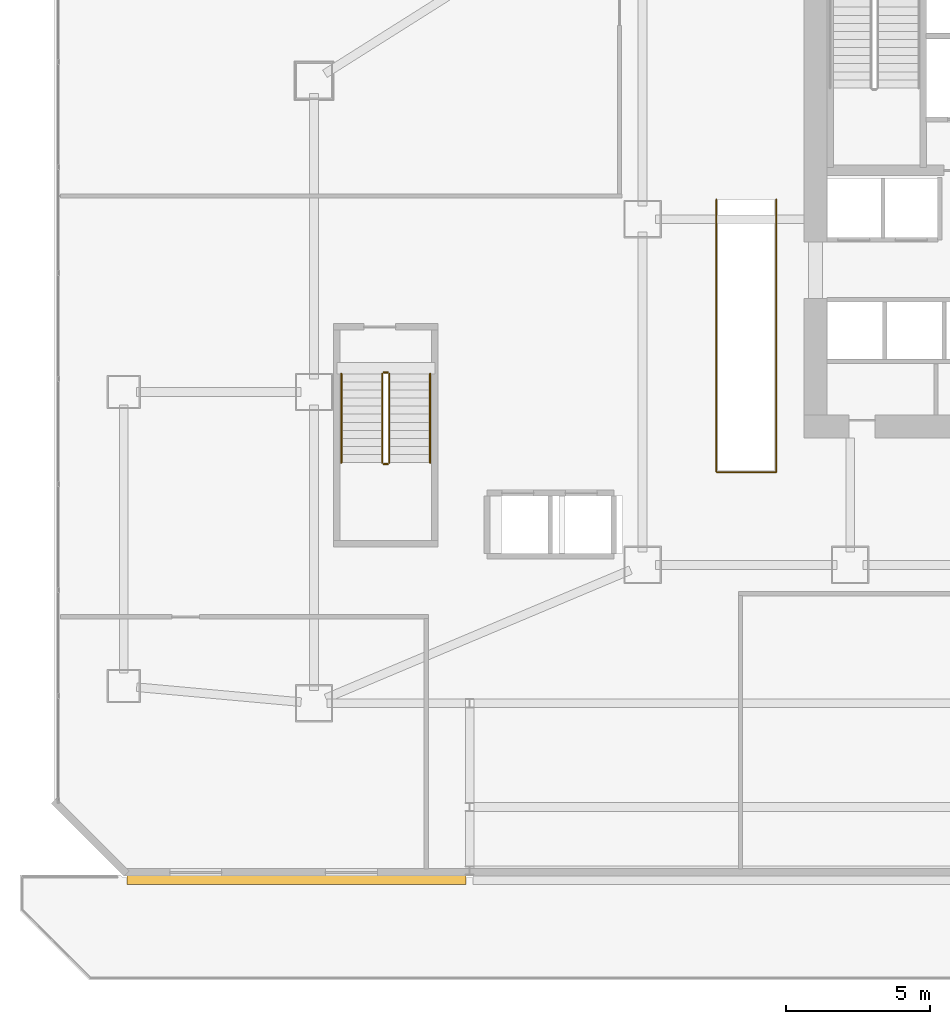
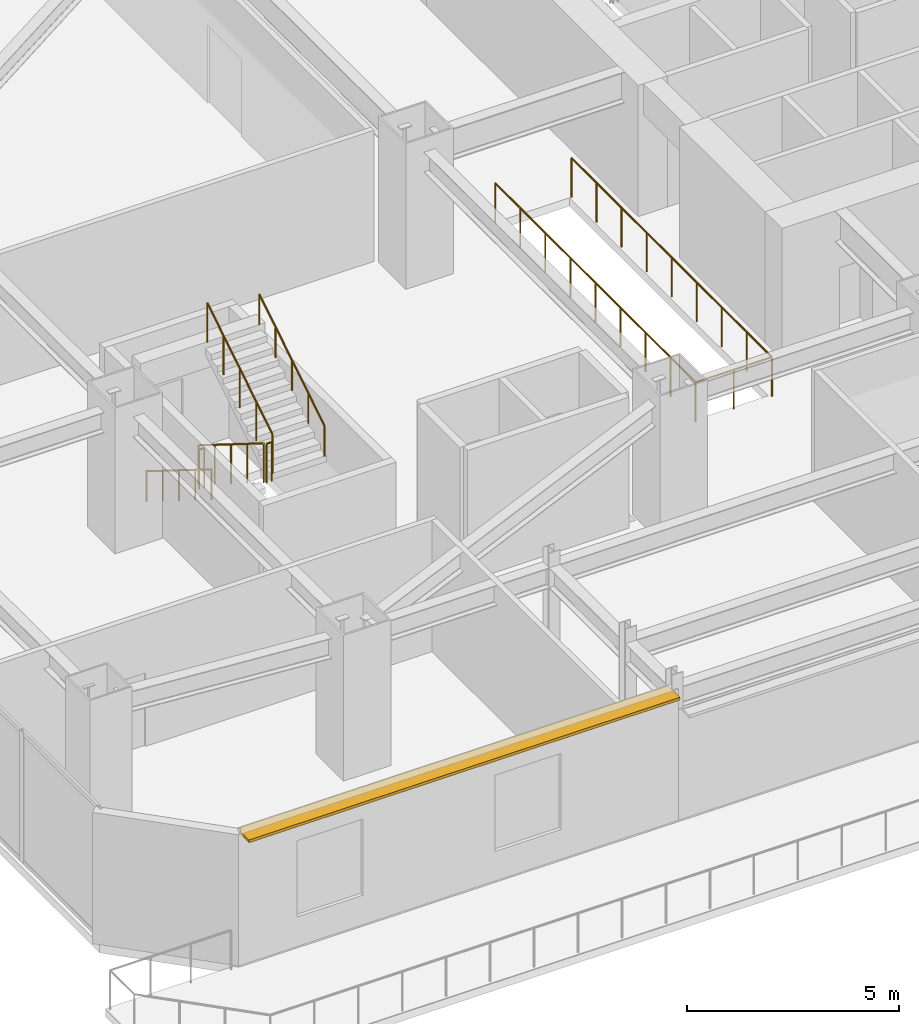
# One storey, part 26 of 32: 7 railings, 1 shading device.
"""IFC4 building model written with IfcOpenShell, lengths in metres."""

from ifc_helpers import new_model, si_unit, direction, frame, origin, origin_2d, place, context, subcontext, project, spatial, rectangle, circle, extrude, material, layer, layer_set, type_object, element, save


model = new_model("IFC4")

# Units and contexts
model_context = context("Model", 3, precision=1e-05, world=origin(), true_north=direction((0.0, 1.0)))
body_context = subcontext(model_context, "Body", "Model", "MODEL_VIEW")
ifc_project = project(units=[si_unit("LENGTHUNIT", "METRE"), si_unit("AREAUNIT", "SQUARE_METRE"), si_unit("VOLUMEUNIT", "CUBIC_METRE"), si_unit("PLANEANGLEUNIT", "RADIAN"), si_unit("MASSUNIT", "GRAM", prefix="KILO")], contexts=[model_context])

# Site, building, storey
site_placement = place(None, origin())
site = spatial("IfcSite", under=ifc_project, at=site_placement, CompositionType="ELEMENT")
building_placement = place(site_placement, origin())
building = spatial("IfcBuilding", under=site, at=building_placement, Name="Haolan Belvedere Tower", CompositionType="ELEMENT")
storey_placement = place(building_placement, frame((0.0, 0.0, 15.60009765625)))
storey = spatial("IfcBuildingStorey", under=building, at=storey_placement, Name="L03", CompositionType="ELEMENT", Elevation=15.60009765625)

# Railings
ifc_material_1 = material(Name="Brushed stainless steel 304", Category="steel")
railing_type_1 = type_object("IfcRailingType", Name="RL-STAIR-GRD-1150", PredefinedType="GUARDRAIL", material=ifc_material_1)
railing_1_placement = place(storey_placement, frame((14.969970703125, 28.22998046875, 0.1748046875)))
element("IfcRailing", 1, at=railing_1_placement, inside=storey, type_object=railing_type_1, Name="L03 ST4 stair guard 1", PredefinedType="GUARDRAIL", context=body_context, shape_type="SweptSolid", body=[
    extrude(circle(Radius=0.02392578125, at=origin_2d()), frame((0.0, 0.0, 1.1259765625), z_axis=(0.0, -0.847998304005, 0.529998940003), x_axis=(1.0, 0.0, 0.0)), (0.0, 0.0, 1.0), 3.632080078125),
    extrude(circle(Radius=0.02099609375, at=origin_2d()), origin(), (0.0, 0.0, 1.0), 1.101806640625),
    extrude(circle(Radius=0.02099609375, at=origin_2d()), frame((0.0, -0.77001953125, 0.481201171875)), (0.0, 0.0, 1.0), 1.101806640625),
    extrude(circle(Radius=0.02099609375, at=origin_2d()), frame((0.0, -1.5400390625, 0.96240234375)), (0.0, 0.0, 1.0), 1.101806640625),
    extrude(circle(Radius=0.02099609375, at=origin_2d()), frame((0.0, -2.31005859375, 1.44384765625)), (0.0, 0.0, 1.0), 1.101806640625),
    extrude(circle(Radius=0.02099609375, at=origin_2d()), frame((0.0, -3.080078125, 1.925048828125)), (0.0, 0.0, 1.0), 1.101806640625),
])
railing_2_placement = place(storey_placement, frame((15.02001953125, 25.10009765625, 2.099853515625)))
element("IfcRailing", 2, at=railing_2_placement, inside=storey, type_object=railing_type_1, Name="L03 ST4 stair guard 2", PredefinedType="GUARDRAIL", context=body_context, shape_type="SweptSolid", body=[
    extrude(circle(Radius=0.02392578125, at=origin_2d()), frame((0.0, 0.0, 1.1259765625), z_axis=(1.0, 0.0, 0.0), x_axis=(0.0, 1.0, 0.0)), (0.0, 0.0, 1.0), 0.139892578125),
    extrude(circle(Radius=0.02099609375, at=origin_2d()), origin(), (0.0, 0.0, 1.0), 1.101806640625),
    extrude(circle(Radius=0.02099609375, at=origin_2d()), frame((0.139892578125, 0.0, 0.0)), (0.0, 0.0, 1.0), 1.101806640625),
])
railing_3_placement = place(storey_placement, frame((15.2099609375, 25.14990234375, 2.27490234375)))
element("IfcRailing", 3, at=railing_3_placement, inside=storey, type_object=railing_type_1, Name="L03 ST4 stair guard 3", PredefinedType="GUARDRAIL", context=body_context, shape_type="SweptSolid", body=[
    extrude(circle(Radius=0.02392578125, at=origin_2d()), frame((0.0, 0.0, 1.1259765625), z_axis=(0.0, 0.847998304005, 0.529998940003), x_axis=(-1.0, 0.0, 0.0)), (0.0, 0.0, 1.0), 3.632080078125),
    extrude(circle(Radius=0.02099609375, at=origin_2d()), origin(), (0.0, 0.0, 1.0), 1.101806640625),
    extrude(circle(Radius=0.02099609375, at=origin_2d()), frame((0.0, 0.77001953125, 0.481201171875)), (0.0, 0.0, 1.0), 1.101806640625),
    extrude(circle(Radius=0.02099609375, at=origin_2d()), frame((0.0, 1.5400390625, 0.96240234375)), (0.0, 0.0, 1.0), 1.101806640625),
    extrude(circle(Radius=0.02099609375, at=origin_2d()), frame((0.0, 2.31005859375, 1.44384765625)), (0.0, 0.0, 1.0), 1.101806640625),
    extrude(circle(Radius=0.02099609375, at=origin_2d()), frame((0.0, 3.080078125, 1.925048828125)), (0.0, 0.0, 1.0), 1.101806640625),
])
railing_4_placement = place(storey_placement, frame((15.02001953125, 28.280029296875, 0.0)))
element("IfcRailing", 4, at=railing_4_placement, inside=storey, type_object=railing_type_1, Name="L03 ST4 stair guard 4", PredefinedType="GUARDRAIL", context=body_context, shape_type="SweptSolid", body=[
    extrude(circle(Radius=0.02392578125, at=origin_2d()), frame((0.0, 0.0, 1.1259765625), z_axis=(1.0, 0.0, 0.0), x_axis=(0.0, 1.0, 0.0)), (0.0, 0.0, 1.0), 0.139892578125),
    extrude(circle(Radius=0.02099609375, at=origin_2d()), origin(), (0.0, 0.0, 1.0), 1.101806640625),
    extrude(circle(Radius=0.02099609375, at=origin_2d()), frame((0.139892578125, 0.0, 0.0)), (0.0, 0.0, 1.0), 1.101806640625),
])
railing_5_placement = place(storey_placement, frame((26.56005859375, 34.284912109375, 0.0)))
element("IfcRailing", 5, at=railing_5_placement, inside=storey, type_object=railing_type_1, Name="L03 ST8 upper well perimeter guard", PredefinedType="GUARDRAIL", context=body_context, shape_type="SweptSolid", body=[
    extrude(circle(Radius=0.02392578125, at=origin_2d()), frame((0.0, 0.0, 1.1259765625), z_axis=(0.0, -1.0, 0.0), x_axis=(1.0, 0.0, 0.0)), (0.0, 0.0, 1.0), 9.46484375),
    extrude(circle(Radius=0.02392578125, at=origin_2d()), frame((0.0, -9.46484375, 1.1259765625), z_axis=(1.0, 0.0, 0.0), x_axis=(0.0, 1.0, 0.0)), (0.0, 0.0, 1.0), 2.079833984375),
    extrude(circle(Radius=0.02392578125, at=origin_2d()), frame((2.079833984375, -9.46484375, 1.1259765625), z_axis=(0.0, 1.0, 0.0), x_axis=(-1.0, 0.0, 0.0)), (0.0, 0.0, 1.0), 9.46484375),
    extrude(circle(Radius=0.02099609375, at=origin_2d()), origin(), (0.0, 0.0, 1.0), 1.101806640625),
    extrude(circle(Radius=0.02099609375, at=origin_2d()), frame((0.0, -1.18310546875, 0.0)), (0.0, 0.0, 1.0), 1.101806640625),
    extrude(circle(Radius=0.02099609375, at=origin_2d()), frame((0.0, -2.3662109375, 0.0)), (0.0, 0.0, 1.0), 1.101806640625),
    extrude(circle(Radius=0.02099609375, at=origin_2d()), frame((0.0, -3.54931640625, 0.0)), (0.0, 0.0, 1.0), 1.101806640625),
    extrude(circle(Radius=0.02099609375, at=origin_2d()), frame((0.0, -4.732421875, 0.0)), (0.0, 0.0, 1.0), 1.101806640625),
    extrude(circle(Radius=0.02099609375, at=origin_2d()), frame((0.0, -5.91552734375, 0.0)), (0.0, 0.0, 1.0), 1.101806640625),
    extrude(circle(Radius=0.02099609375, at=origin_2d()), frame((0.0, -7.0986328125, 0.0)), (0.0, 0.0, 1.0), 1.101806640625),
    extrude(circle(Radius=0.02099609375, at=origin_2d()), frame((0.0, -8.28173828125, 0.0)), (0.0, 0.0, 1.0), 1.101806640625),
    extrude(circle(Radius=0.02099609375, at=origin_2d()), frame((0.0, -9.46484375, 0.0)), (0.0, 0.0, 1.0), 1.101806640625),
    extrude(circle(Radius=0.02099609375, at=origin_2d()), frame((1.0400390625, -9.46484375, 0.0)), (0.0, 0.0, 1.0), 1.101806640625),
    extrude(circle(Radius=0.02099609375, at=origin_2d()), frame((2.079833984375, -9.46484375, 0.0)), (0.0, 0.0, 1.0), 1.101806640625),
    extrude(circle(Radius=0.02099609375, at=origin_2d()), frame((2.079833984375, -8.28173828125, 0.0)), (0.0, 0.0, 1.0), 1.101806640625),
    extrude(circle(Radius=0.02099609375, at=origin_2d()), frame((2.079833984375, -7.0986328125, 0.0)), (0.0, 0.0, 1.0), 1.101806640625),
    extrude(circle(Radius=0.02099609375, at=origin_2d()), frame((2.079833984375, -5.91552734375, 0.0)), (0.0, 0.0, 1.0), 1.101806640625),
    extrude(circle(Radius=0.02099609375, at=origin_2d()), frame((2.079833984375, -4.732421875, 0.0)), (0.0, 0.0, 1.0), 1.101806640625),
    extrude(circle(Radius=0.02099609375, at=origin_2d()), frame((2.079833984375, -3.54931640625, 0.0)), (0.0, 0.0, 1.0), 1.101806640625),
    extrude(circle(Radius=0.02099609375, at=origin_2d()), frame((2.079833984375, -2.3662109375, 0.0)), (0.0, 0.0, 1.0), 1.101806640625),
    extrude(circle(Radius=0.02099609375, at=origin_2d()), frame((2.079833984375, -1.18310546875, 0.0)), (0.0, 0.0, 1.0), 1.101806640625),
    extrude(circle(Radius=0.02099609375, at=origin_2d()), frame((2.079833984375, 0.0, 0.0)), (0.0, 0.0, 1.0), 1.101806640625),
])
railing_type_2 = type_object("IfcRailingType", Name="RL-STAIR-HND-900", PredefinedType="HANDRAIL", material=ifc_material_1)
railing_6_placement = place(storey_placement, frame((13.550048828125, 28.22998046875, 0.1748046875)))
element("IfcRailing", 6, at=railing_6_placement, inside=storey, type_object=railing_type_2, Name="L03 ST4 stair handrail 1", PredefinedType="HANDRAIL", context=body_context, shape_type="SweptSolid", body=[
    extrude(circle(Radius=0.02392578125, at=origin_2d()), frame((0.0, 0.0, 0.8759765625), z_axis=(0.0, -0.847998304005, 0.529998940003), x_axis=(1.0, 0.0, 0.0)), (0.0, 0.0, 1.0), 3.632080078125),
    extrude(circle(Radius=0.02099609375, at=origin_2d()), origin(), (0.0, 0.0, 1.0), 0.851806640625),
    extrude(circle(Radius=0.02099609375, at=origin_2d()), frame((0.0, -0.77001953125, 0.481201171875)), (0.0, 0.0, 1.0), 0.851806640625),
    extrude(circle(Radius=0.02099609375, at=origin_2d()), frame((0.0, -1.5400390625, 0.96240234375)), (0.0, 0.0, 1.0), 0.851806640625),
    extrude(circle(Radius=0.02099609375, at=origin_2d()), frame((0.0, -2.31005859375, 1.44384765625)), (0.0, 0.0, 1.0), 0.851806640625),
    extrude(circle(Radius=0.02099609375, at=origin_2d()), frame((0.0, -3.080078125, 1.925048828125)), (0.0, 0.0, 1.0), 0.851806640625),
])
railing_7_placement = place(storey_placement, frame((16.6298828125, 25.14990234375, 2.27490234375)))
element("IfcRailing", 7, at=railing_7_placement, inside=storey, type_object=railing_type_2, Name="L03 ST4 stair handrail 2", PredefinedType="HANDRAIL", context=body_context, shape_type="SweptSolid", body=[
    extrude(circle(Radius=0.02392578125, at=origin_2d()), frame((0.0, 0.0, 0.8759765625), z_axis=(0.0, 0.847998304005, 0.529998940003), x_axis=(-1.0, 0.0, 0.0)), (0.0, 0.0, 1.0), 3.632080078125),
    extrude(circle(Radius=0.02099609375, at=origin_2d()), origin(), (0.0, 0.0, 1.0), 0.851806640625),
    extrude(circle(Radius=0.02099609375, at=origin_2d()), frame((0.0, 0.77001953125, 0.481201171875)), (0.0, 0.0, 1.0), 0.851806640625),
    extrude(circle(Radius=0.02099609375, at=origin_2d()), frame((0.0, 1.5400390625, 0.96240234375)), (0.0, 0.0, 1.0), 0.851806640625),
    extrude(circle(Radius=0.02099609375, at=origin_2d()), frame((0.0, 2.31005859375, 1.44384765625)), (0.0, 0.0, 1.0), 0.851806640625),
    extrude(circle(Radius=0.02099609375, at=origin_2d()), frame((0.0, 3.080078125, 1.925048828125)), (0.0, 0.0, 1.0), 0.851806640625),
])

# Shading device
ifc_material_2 = material(Name="Anodised champagne-silver aluminium 6063-T6", Category="aluminium")
ifc_layer = layer(ifc_material_2, 0.080078125, Name="Anodised champagne-silver aluminium 6063-T6")
ifc_layer_set = layer_set([ifc_layer], Name="Anodised champagne-silver aluminium 6063-T6")
shading_device_type = type_object("IfcShadingDeviceType", Name="SHD-SUN-550", PredefinedType="USERDEFINED", material=ifc_layer_set)
shading_device_placement = place(storey_placement, frame((11.997314453125, 10.7900390625, 3.679931640625), z_axis=(0.0, 0.0, 1.0), x_axis=(1.0, 0.0, 0.0)))
element("IfcShadingDevice", 8, at=shading_device_placement, inside=storey, type_object=shading_device_type, Name="L03 pale-metal horizontal SUNSHADE band 6.1", ObjectType="SUNSHADE", PredefinedType="USERDEFINED", context=body_context, shape_type="SweptSolid", body=[
    extrude(rectangle(XDim=11.757080078125, YDim=0.550048828125, at=origin_2d()), origin(), (0.0, 0.0, 1.0), 0.080078125),
])

save(model, "model.ifc")
